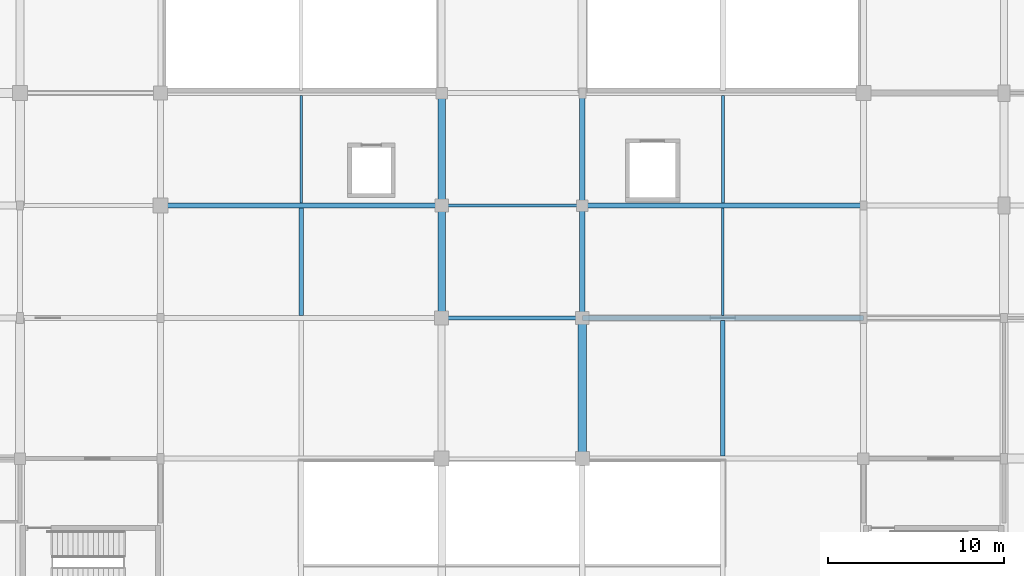
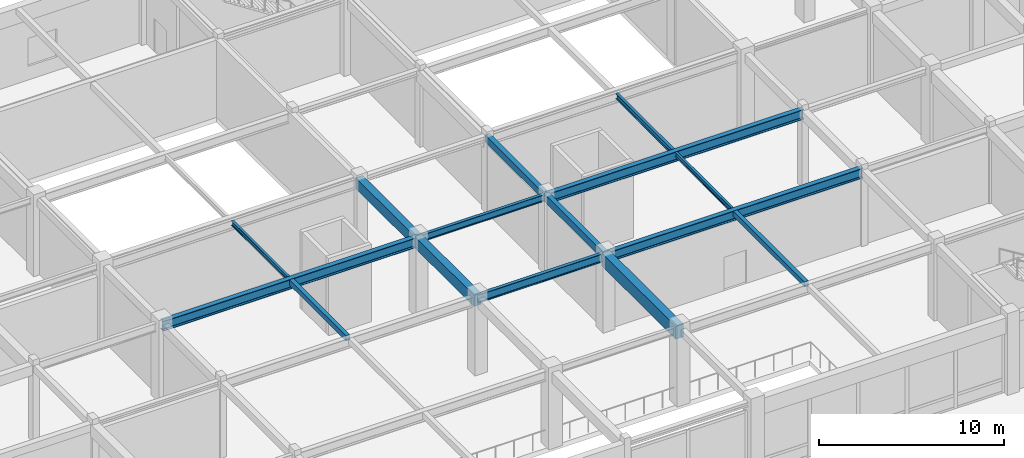
# One storey, part 8 of 36: 15 beams.
"""IFC4 building model written with IfcOpenShell, lengths in metres."""

from ifc_helpers import new_model, si_unit, direction, frame, origin, origin_2d, place, context, subcontext, project, spatial, rectangle, i_section, extrude, material, material_profile, profile_set, type_object, element, save


model = new_model("IFC4")

# Units and contexts
model_context = context("Model", 3, precision=1e-05, world=origin(), true_north=direction((0.0, 1.0)))
body_context = subcontext(model_context, "Body", "Model", "MODEL_VIEW")
ifc_project = project(units=[si_unit("LENGTHUNIT", "METRE"), si_unit("AREAUNIT", "SQUARE_METRE"), si_unit("VOLUMEUNIT", "CUBIC_METRE"), si_unit("PLANEANGLEUNIT", "RADIAN"), si_unit("MASSUNIT", "GRAM", prefix="KILO")], contexts=[model_context])

# Site, building, storey
site_placement = place(None, origin())
site = spatial("IfcSite", under=ifc_project, at=site_placement, CompositionType="ELEMENT")
building_placement = place(site_placement, origin())
building = spatial("IfcBuilding", under=site, at=building_placement, Name="Vellmiral Cinema and Media Centre", CompositionType="ELEMENT")
storey_placement = place(building_placement, frame((0.0, 0.0, 5.39990234375)))
storey = spatial("IfcBuildingStorey", under=building, at=storey_placement, Name="L01", CompositionType="ELEMENT", Elevation=5.39990234375)

# Beams
ifc_material_1 = material(Name="Concrete C40/50", Category="concrete")
ifc_material_profile_1 = material_profile(ifc_material_1, rectangle(XDim=0.300048828125, YDim=0.449951171875, at=origin_2d()), Name="RC 300x450")
ifc_profile_set_1 = profile_set([ifc_material_profile_1], Name="Concrete C40/50")
beam_type_1 = type_object("IfcBeamType", Name="BM-RC-300x450", PredefinedType="BEAM", material=ifc_profile_set_1)
beam_1_placement = place(storey_placement, frame((86.39990234375, 65.60009765625, 4.81005859375), z_axis=(0.0, 1.0, 0.0), x_axis=(-1.0, 0.0, 0.0)))
element("IfcBeam", 1, at=beam_1_placement, inside=storey, type_object=beam_type_1, Name="Grid Beam L01-Y260", PredefinedType="BEAM", context=body_context, shape_type="SweptSolid", body=[
    extrude(rectangle(XDim=0.300048828125, YDim=0.449951171875, at=origin_2d()), origin(), (0.0, 0.0, 1.0), 6.39990234375),
])
ifc_material_2 = material(Name="Concrete C40/50", Category="concrete")
ifc_material_profile_2 = material_profile(ifc_material_2, rectangle(XDim=0.300048828125, YDim=0.5, at=origin_2d()), Name="RC 300x500")
ifc_profile_set_2 = profile_set([ifc_material_profile_2], Name="Concrete C40/50")
beam_type_2 = type_object("IfcBeamType", Name="BM-RC-300x500", PredefinedType="BEAM", material=ifc_profile_set_2)
beam_2_placement = place(storey_placement, frame((86.39990234375, 59.199951171875, 4.78515625), z_axis=(0.0, 1.0, 0.0), x_axis=(-1.0, 0.0, 0.0)))
element("IfcBeam", 2, at=beam_2_placement, inside=storey, type_object=beam_type_2, Name="Grid Beam L01-Y259", PredefinedType="BEAM", context=body_context, shape_type="SweptSolid", body=[
    extrude(rectangle(XDim=0.300048828125, YDim=0.5, at=origin_2d()), origin(), (0.0, 0.0, 1.0), 6.400146484375),
])
ifc_material_3 = material(Name="Concrete C40/50", Category="concrete")
ifc_material_profile_3 = material_profile(ifc_material_3, rectangle(XDim=0.449951171875, YDim=0.699951171875, at=origin_2d()), Name="RC 450x700")
ifc_profile_set_3 = profile_set([ifc_material_profile_3], Name="Concrete C40/50")
beam_type_3 = type_object("IfcBeamType", Name="BM-RC-450x700", PredefinedType="BEAM", material=ifc_profile_set_3)
beam_3_placement = place(storey_placement, frame((78.39990234375, 65.60009765625, 4.68505859375), z_axis=(0.0, 1.0, 0.0), x_axis=(-1.0, 0.0, 0.0)))
element("IfcBeam", 3, at=beam_3_placement, inside=storey, type_object=beam_type_3, Name="Grid Beam L01-Y253", PredefinedType="BEAM", context=body_context, shape_type="SweptSolid", body=[
    extrude(rectangle(XDim=0.449951171875, YDim=0.699951171875, at=origin_2d()), origin(), (0.0, 0.0, 1.0), 6.39990234375),
])
ifc_material_4 = material(Name="Concrete C40/50", Category="concrete")
ifc_material_profile_4 = material_profile(ifc_material_4, rectangle(XDim=0.449951171875, YDim=0.75, at=origin_2d()), Name="RC 450x750")
ifc_profile_set_4 = profile_set([ifc_material_profile_4], Name="Concrete C40/50")
beam_type_4 = type_object("IfcBeamType", Name="BM-RC-450x750", PredefinedType="BEAM", material=ifc_profile_set_4)
beam_4_placement = place(storey_placement, frame((78.39990234375, 59.199951171875, 4.66015625), z_axis=(0.0, 1.0, 0.0), x_axis=(-1.0, 0.0, 0.0)))
element("IfcBeam", 4, at=beam_4_placement, inside=storey, type_object=beam_type_4, Name="Grid Beam L01-Y252", PredefinedType="BEAM", context=body_context, shape_type="SweptSolid", body=[
    extrude(rectangle(XDim=0.449951171875, YDim=0.75, at=origin_2d()), origin(), (0.0, 0.0, 1.0), 6.400146484375),
])
ifc_material_5 = material(Name="Concrete C40/50", Category="concrete")
ifc_material_profile_5 = material_profile(ifc_material_5, rectangle(XDim=0.5, YDim=0.85009765625, at=origin_2d()), Name="RC 500x850")
ifc_profile_set_5 = profile_set([ifc_material_profile_5], Name="Concrete C40/50")
beam_type_5 = type_object("IfcBeamType", Name="BM-RC-500x850", PredefinedType="BEAM", material=ifc_profile_set_5)
beam_5_placement = place(storey_placement, frame((86.39990234375, 51.199951171875, 4.610107421875), z_axis=(0.0, 1.0, 0.0), x_axis=(-1.0, 0.0, 0.0)))
element("IfcBeam", 5, at=beam_5_placement, inside=storey, type_object=beam_type_5, Name="Grid Beam L01-Y258", PredefinedType="BEAM", context=body_context, shape_type="SweptSolid", body=[
    extrude(rectangle(XDim=0.5, YDim=0.85009765625, at=origin_2d()), origin(), (0.0, 0.0, 1.0), 8.0),
])
ifc_material_6 = material(Name="Concrete C40/50", Category="concrete")
ifc_material_profile_6 = material_profile(ifc_material_6, rectangle(XDim=0.25, YDim=0.35009765625, at=origin_2d()), Name="RC 250x350")
ifc_profile_set_6 = profile_set([ifc_material_profile_6], Name="Concrete C40/50")
beam_type_6 = type_object("IfcBeamType", Name="JST-RC-250x350", PredefinedType="JOIST", material=ifc_profile_set_6)
beam_6_placement = place(storey_placement, frame((70.39990234375, 59.35009765625, 4.860107421875), z_axis=(0.0, 1.0, 0.0), x_axis=(-1.0, 0.0, 0.0)))
element("IfcBeam", 6, at=beam_6_placement, inside=storey, type_object=beam_type_6, Name="Secondary Floor Joist L01-008", PredefinedType="JOIST", context=body_context, shape_type="SweptSolid", body=[
    extrude(rectangle(XDim=0.25, YDim=0.35009765625, at=origin_2d()), origin(), (0.0, 0.0, 1.0), 6.099853515625),
])
beam_7_placement = place(storey_placement, frame((94.39990234375, 51.35009765625, 4.860107421875), z_axis=(0.0, 1.0, 0.0), x_axis=(-1.0, 0.0, 0.0)))
element("IfcBeam", 7, at=beam_7_placement, inside=storey, type_object=beam_type_6, Name="Secondary Floor Joist L01-014", PredefinedType="JOIST", context=body_context, shape_type="SweptSolid", body=[
    extrude(rectangle(XDim=0.25, YDim=0.35009765625, at=origin_2d()), origin(), (0.0, 0.0, 1.0), 7.699951171875),
])
ifc_material_7 = material(Name="Steel S355", Category="steel")
ifc_material_profile_7 = material_profile(ifc_material_7, i_section(OverallWidth=0.300048828125, OverallDepth=0.64990234375, WebThickness=0.01611328125, FlangeThickness=0.031005859375, FilletRadius=0.027099609375, at=origin_2d()), Name="HEB 650")
ifc_profile_set_7 = profile_set([ifc_material_profile_7], Name="Steel S355")
beam_type_7 = type_object("IfcBeamType", Name="SBM-HEB650", PredefinedType="BEAM", material=ifc_profile_set_7)
for number, where, z_axis, x_axis, name in (
    (8, (86.39990234375, 59.199951171875, 4.710205078125), (1.0, 0.0, 0.0), (0.0, 1.0, 0.0), "Grid Beam L01-X064"),
    (9, (62.39990234375, 65.60009765625, 4.710205078125), (1.0, 0.0, 0.0), (0.0, 1.0, 0.0), "Grid Beam L01-X080"),
    (10, (86.39990234375, 65.60009765625, 4.710205078125), (1.0, 0.0, 0.0), (0.0, 1.0, 0.0), "Grid Beam L01-X082"),
):
    element("IfcBeam", number, at=place(storey_placement, frame(where, z_axis=z_axis, x_axis=x_axis)), inside=storey, type_object=beam_type_7, Name=name, PredefinedType="BEAM", context=body_context, shape_type="SweptSolid", body=[
        extrude(i_section(OverallWidth=0.300048828125, OverallDepth=0.64990234375, WebThickness=0.01611328125, FlangeThickness=0.031005859375, FilletRadius=0.027099609375, at=origin_2d()), origin(), (0.0, 0.0, 1.0), 16.0),
    ])
ifc_material_8 = material(Name="Steel S355", Category="steel")
ifc_material_profile_8 = material_profile(ifc_material_8, i_section(OverallWidth=0.14990234375, OverallDepth=0.300048828125, WebThickness=0.007080078125, FlangeThickness=0.0107421875, FilletRadius=0.014892578125, at=origin_2d()), Name="IPE 300")
ifc_profile_set_8 = profile_set([ifc_material_profile_8], Name="Steel S355")
beam_type_8 = type_object("IfcBeamType", Name="SBM-IPE300", PredefinedType="JOIST", material=ifc_profile_set_8)
beam_8_placement = place(storey_placement, frame((70.39990234375, 65.75, 4.885009765625), z_axis=(0.0, 1.0, 0.0), x_axis=(-1.0, 0.0, 0.0)))
element("IfcBeam", 11, at=beam_8_placement, inside=storey, type_object=beam_type_8, Name="Secondary Floor Joist L01-009", PredefinedType="JOIST", context=body_context, shape_type="SweptSolid", body=[
    extrude(i_section(OverallWidth=0.14990234375, OverallDepth=0.300048828125, WebThickness=0.007080078125, FlangeThickness=0.0107421875, FilletRadius=0.014892578125, at=origin_2d()), origin(), (0.0, 0.0, 1.0), 6.10009765625),
])
beam_9_placement = place(storey_placement, frame((94.39990234375, 59.35009765625, 4.885009765625), z_axis=(0.0, 1.0, 0.0), x_axis=(-1.0, 0.0, 0.0)))
element("IfcBeam", 12, at=beam_9_placement, inside=storey, type_object=beam_type_8, Name="Secondary Floor Joist L01-015", PredefinedType="JOIST", context=body_context, shape_type="SweptSolid", body=[
    extrude(i_section(OverallWidth=0.14990234375, OverallDepth=0.300048828125, WebThickness=0.007080078125, FlangeThickness=0.0107421875, FilletRadius=0.014892578125, at=origin_2d()), origin(), (0.0, 0.0, 1.0), 6.099853515625),
])
ifc_material_9 = material(Name="Steel S355", Category="steel")
ifc_material_profile_9 = material_profile(ifc_material_9, i_section(OverallWidth=0.169921875, OverallDepth=0.360107421875, WebThickness=0.008056640625, FlangeThickness=0.0126953125, FilletRadius=0.01806640625, at=origin_2d()), Name="IPE 360")
ifc_profile_set_9 = profile_set([ifc_material_profile_9], Name="Steel S355")
beam_type_9 = type_object("IfcBeamType", Name="SBM-IPE360", PredefinedType="JOIST", material=ifc_profile_set_9)
beam_10_placement = place(storey_placement, frame((94.39990234375, 65.75, 4.85498046875), z_axis=(0.0, 1.0, 0.0), x_axis=(-1.0, 0.0, 0.0)))
element("IfcBeam", 13, at=beam_10_placement, inside=storey, type_object=beam_type_9, Name="Secondary Floor Joist L01-016", PredefinedType="JOIST", context=body_context, shape_type="SweptSolid", body=[
    extrude(i_section(OverallWidth=0.169921875, OverallDepth=0.360107421875, WebThickness=0.008056640625, FlangeThickness=0.0126953125, FilletRadius=0.01806640625, at=origin_2d()), origin(), (0.0, 0.0, 1.0), 6.10009765625),
])
ifc_material_10 = material(Name="Steel S355", Category="steel")
ifc_material_profile_10 = material_profile(ifc_material_10, i_section(OverallWidth=0.18994140625, OverallDepth=0.449951171875, WebThickness=0.009521484375, FlangeThickness=0.0146484375, FilletRadius=0.02099609375, at=origin_2d()), Name="IPE 450")
ifc_profile_set_10 = profile_set([ifc_material_profile_10], Name="Steel S355")
beam_type_10 = type_object("IfcBeamType", Name="SBM-IPE450", PredefinedType="BEAM", material=ifc_profile_set_10)
beam_11_placement = place(storey_placement, frame((78.39990234375, 65.60009765625, 4.81005859375), z_axis=(1.0, 0.0, 0.0), x_axis=(0.0, 1.0, 0.0)))
element("IfcBeam", 14, at=beam_11_placement, inside=storey, type_object=beam_type_10, Name="Grid Beam L01-X081", PredefinedType="BEAM", context=body_context, shape_type="SweptSolid", body=[
    extrude(i_section(OverallWidth=0.18994140625, OverallDepth=0.449951171875, WebThickness=0.009521484375, FlangeThickness=0.0146484375, FilletRadius=0.02099609375, at=origin_2d()), origin(), (0.0, 0.0, 1.0), 8.0),
])
ifc_material_11 = material(Name="Steel S355", Category="steel")
ifc_material_profile_11 = material_profile(ifc_material_11, i_section(OverallWidth=0.2099609375, OverallDepth=0.550048828125, WebThickness=0.010986328125, FlangeThickness=0.01708984375, FilletRadius=0.02392578125, at=origin_2d()), Name="IPE 550")
ifc_profile_set_11 = profile_set([ifc_material_profile_11], Name="Steel S355")
beam_type_11 = type_object("IfcBeamType", Name="SBM-IPE550", PredefinedType="BEAM", material=ifc_profile_set_11)
beam_12_placement = place(storey_placement, frame((78.39990234375, 59.199951171875, 4.760009765625), z_axis=(1.0, 0.0, 0.0), x_axis=(0.0, 1.0, 0.0)))
element("IfcBeam", 15, at=beam_12_placement, inside=storey, type_object=beam_type_11, Name="Grid Beam L01-X063", PredefinedType="BEAM", context=body_context, shape_type="SweptSolid", body=[
    extrude(i_section(OverallWidth=0.2099609375, OverallDepth=0.550048828125, WebThickness=0.010986328125, FlangeThickness=0.01708984375, FilletRadius=0.02392578125, at=origin_2d()), origin(), (0.0, 0.0, 1.0), 8.0),
])

save(model, "model.ifc")
